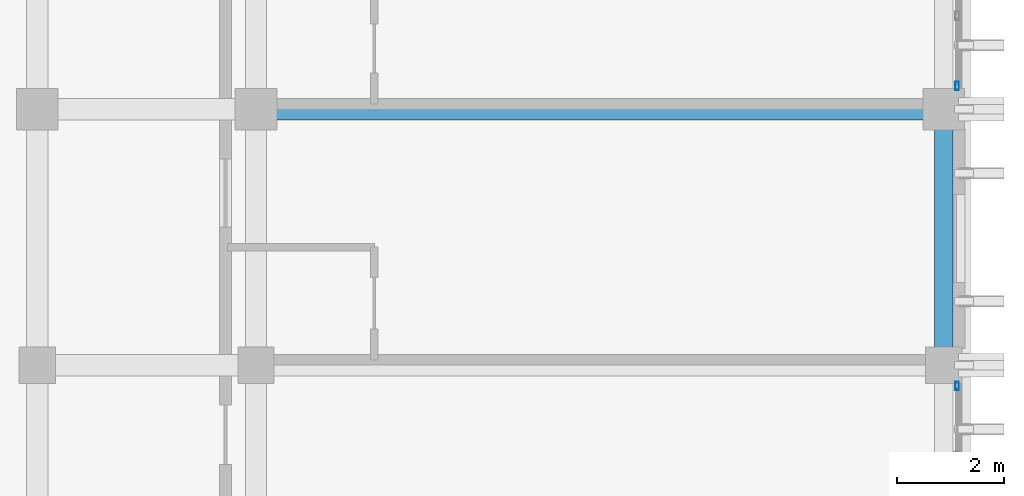
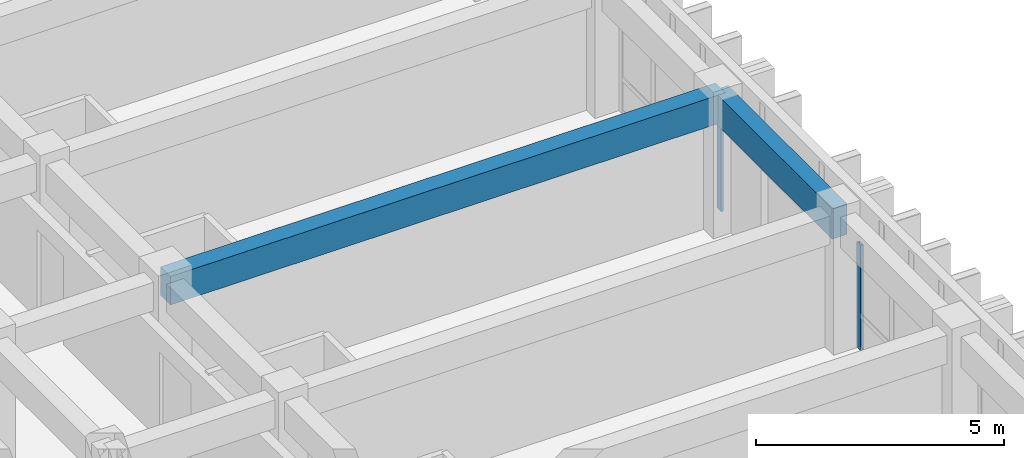
# One storey, part 32 of 68: 2 beams, 2 members, 2 elements without a shape of their own.
"""IFC4 building model written with IfcOpenShell, lengths in metres."""

from ifc_helpers import new_model, si_unit, direction, frame, origin, origin_2d, place, context, subcontext, project, spatial, rectangle, hollow_rectangle, extrude, material, layer, layer_set, material_profile, profile_set, type_object, element, aggregate, save


model = new_model("IFC4")

# Units and contexts
model_context = context("Model", 3, precision=1e-05, world=origin(), true_north=direction((0.0, 1.0)))
body_context = subcontext(model_context, "Body", "Model", "MODEL_VIEW")
ifc_project = project(units=[si_unit("LENGTHUNIT", "METRE"), si_unit("AREAUNIT", "SQUARE_METRE"), si_unit("VOLUMEUNIT", "CUBIC_METRE"), si_unit("PLANEANGLEUNIT", "RADIAN"), si_unit("MASSUNIT", "GRAM", prefix="KILO")], contexts=[model_context])

# Site, building, storey
site_placement = place(None, origin())
site = spatial("IfcSite", under=ifc_project, at=site_placement, CompositionType="ELEMENT")
building_placement = place(site_placement, origin())
building = spatial("IfcBuilding", under=site, at=building_placement, Name="Nakhvara Creek Congress Hotel", CompositionType="ELEMENT")
storey_placement = place(building_placement, frame((0.0, 0.0, 24.60009765625)))
storey = spatial("IfcBuildingStorey", under=building, at=storey_placement, Name="L05", CompositionType="ELEMENT", Elevation=24.60009765625)

# Beams
ifc_material_1 = material(Name="Concrete C40/50", Category="concrete")
ifc_material_profile_1 = material_profile(ifc_material_1, rectangle(XDim=0.39990234375, YDim=0.699951171875, at=origin_2d()), Name="RC-BM 400x700", Category="LoadBearing")
ifc_profile_set_1 = profile_set([ifc_material_profile_1], Name="Concrete C40/50")
beam_type_1 = type_object("IfcBeamType", Name="BM-RC-400X700", PredefinedType="BEAM", material=ifc_profile_set_1)
beam_1_placement = place(storey_placement, frame((166.449951171875, 86.39990234375, 2.989990234375), z_axis=(1.0, 0.0, 0.0), x_axis=(0.0, 1.0, 0.0)))
element("IfcBeam", 1, at=beam_1_placement, inside=storey, type_object=beam_type_1, Name="Beam B05-L05-2133", PredefinedType="BEAM", context=body_context, shape_type="SweptSolid", body=[
    extrude(rectangle(XDim=0.39990234375, YDim=0.699951171875, at=origin_2d()), origin(), (0.0, 0.0, 1.0), 12.900146484375),
])
ifc_material_profile_2 = material_profile(ifc_material_1, rectangle(XDim=0.35009765625, YDim=0.75, at=origin_2d()), Name="RC-SPANDREL 350x750", Category="LoadBearing")
ifc_profile_set_2 = profile_set([ifc_material_profile_2], Name="Concrete C40/50")
beam_type_2 = type_object("IfcBeamType", Name="BM-SPN-350X750", PredefinedType="SPANDREL", material=ifc_profile_set_2)
beam_2_placement = place(storey_placement, frame((179.35009765625, 81.60009765625, 2.96484375), z_axis=(0.0, 1.0, 0.0), x_axis=(-1.0, 0.0, 0.0)))
element("IfcBeam", 2, at=beam_2_placement, inside=storey, type_object=beam_type_2, Name="Beam SP1-L05-2158", PredefinedType="SPANDREL", context=body_context, shape_type="SweptSolid", body=[
    extrude(rectangle(XDim=0.35009765625, YDim=0.75, at=origin_2d()), origin(), (0.0, 0.0, 1.0), 4.7998046875),
])

# Curtain wall, member
ifc_material_2 = material(Name="Bronze-anodised aluminium AW-6063-T6 and double-silver low-E glass", Category="aluminium")
ifc_layer = layer(ifc_material_2, 0.199951171875)
ifc_layer_set = layer_set([ifc_layer], Name="Bronze-anodised aluminium AW-6063-T6 and double-silver low-E glass")
curtain_wall_type = type_object("IfcCurtainWallType", Name="CW-HTL-UNIT", PredefinedType="USERDEFINED", material=ifc_layer_set)
curtain_wall_1_placement = place(storey_placement, origin())
curtain_wall_1 = element("IfcCurtainWall", 3, at=curtain_wall_1_placement, inside=storey, type_object=curtain_wall_type, Name="Curtain Wall CW216", ObjectType="UNITISED", PredefinedType="USERDEFINED")
ifc_material_3 = material(Name="Bronze-anodised aluminium AW-6063-T6", Category="aluminium")
ifc_material_profile_3 = material_profile(ifc_material_3, hollow_rectangle(XDim=0.06494140625, YDim=0.159912109375, WallThickness=0.00390625, at=origin_2d()), Name="ALU-MULL 65x160x4", Category="LoadBearing")
ifc_profile_set_3 = profile_set([ifc_material_profile_3], Name="Bronze-anodised aluminium AW-6063-T6")
member_type = type_object("IfcMemberType", Name="CW-MULL-160", PredefinedType="MULLION", material=ifc_profile_set_3)
member_1_placement = place(storey_placement, frame((179.60009765625, 81.21240234375, 0.0), z_axis=(0.0, 0.0, 1.0), x_axis=(1.0, 0.0, 0.0)))
member_1 = element("IfcMember", 4, at=member_1_placement, type_object=member_type, Name="CW216 mullion 1", PredefinedType="MULLION", context=body_context, shape_type="SweptSolid", body=[
    extrude(hollow_rectangle(XDim=0.06494140625, YDim=0.159912109375, WallThickness=0.00390625, at=origin_2d()), origin(), (0.0, 0.0, 1.0), 2.581787109375),
])
aggregate(curtain_wall_1, [member_1])

curtain_wall_2_placement = place(storey_placement, origin())
curtain_wall_2 = element("IfcCurtainWall", 5, at=curtain_wall_2_placement, inside=storey, type_object=curtain_wall_type, Name="Curtain Wall CW218", ObjectType="UNITISED", PredefinedType="USERDEFINED")
member_2_placement = place(storey_placement, frame((179.60009765625, 86.83740234375, 0.0), z_axis=(0.0, 0.0, 1.0), x_axis=(1.0, 0.0, 0.0)))
member_2 = element("IfcMember", 6, at=member_2_placement, type_object=member_type, Name="CW218 mullion 4", PredefinedType="MULLION", context=body_context, shape_type="SweptSolid", body=[
    extrude(hollow_rectangle(XDim=0.06494140625, YDim=0.159912109375, WallThickness=0.00390625, at=origin_2d()), origin(), (0.0, 0.0, 1.0), 2.581787109375),
])
aggregate(curtain_wall_2, [member_2])

save(model, "model.ifc")
